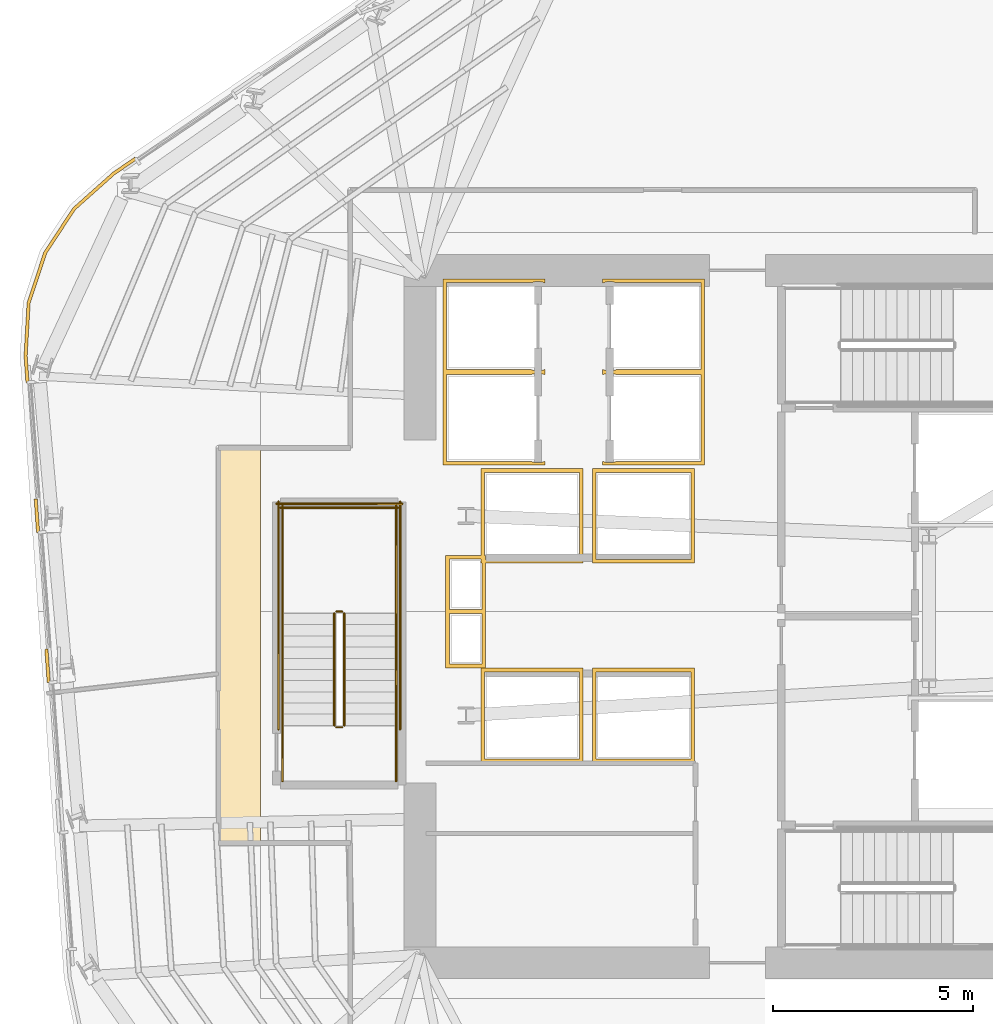
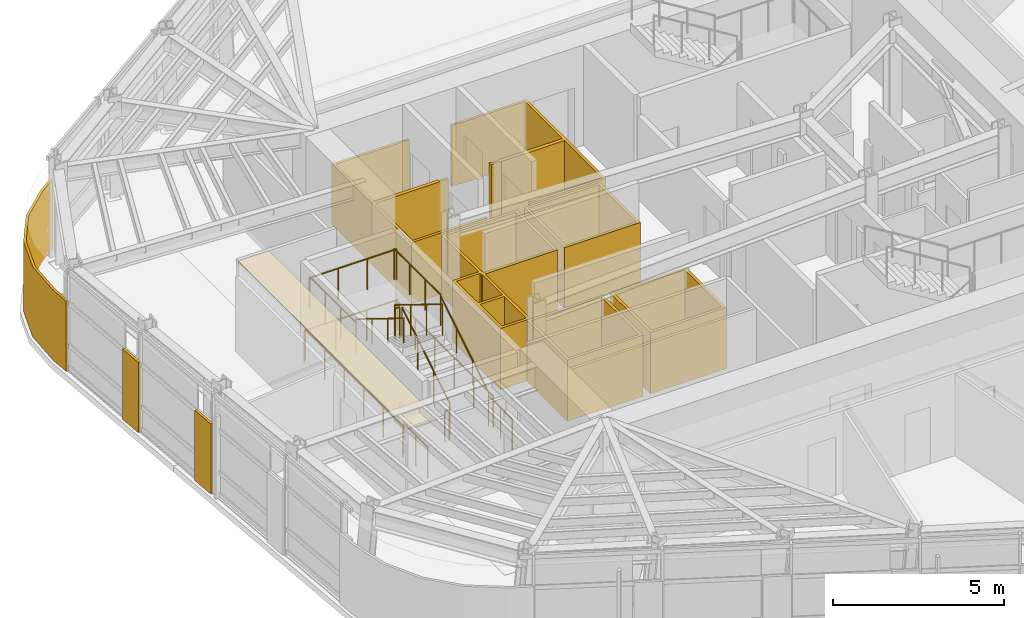
# One storey, part 11 of 15: 14 railings, 10 coverings.
"""IFC4 building model written with IfcOpenShell, lengths in metres."""

from ifc_helpers import new_model, si_unit, direction, frame, origin, origin_2d, place, context, subcontext, project, spatial, polyline, circle, outline, extrude, material, layer, layer_set, type_object, element, save


model = new_model("IFC4")

# Units and contexts
model_context = context("Model", 3, precision=1e-05, world=origin(), true_north=direction((0.0, 1.0)))
body_context = subcontext(model_context, "Body", "Model", "MODEL_VIEW")
ifc_project = project(units=[si_unit("LENGTHUNIT", "METRE"), si_unit("AREAUNIT", "SQUARE_METRE"), si_unit("VOLUMEUNIT", "CUBIC_METRE"), si_unit("PLANEANGLEUNIT", "RADIAN"), si_unit("MASSUNIT", "GRAM", prefix="KILO")], contexts=[model_context])

# Site, building, storey
site_placement = place(None, origin())
site = spatial("IfcSite", under=ifc_project, at=site_placement, CompositionType="ELEMENT")
building_placement = place(site_placement, origin())
building = spatial("IfcBuilding", under=site, at=building_placement, Name="Valkerne Bourse Tower", CompositionType="ELEMENT")
storey_placement = place(building_placement, frame((0.0, 0.0, 170.39990234375)))
storey = spatial("IfcBuildingStorey", under=building, at=storey_placement, Name="L43", CompositionType="ELEMENT", Elevation=170.39990234375)

# Coverings
ifc_material_1 = material(Name="Bronze Anodised Aluminium AA 6063-T6", Category="aluminium")
ifc_layer_1 = layer(ifc_material_1, 0.030029296875)
ifc_layer_set_1 = layer_set([ifc_layer_1], Name="Bronze Anodised Aluminium AA 6063-T6")
covering_type_1 = type_object("IfcCoveringType", Name="COV-CEIL-METAL", PredefinedType="CEILING", material=ifc_layer_set_1)
covering_1_placement = place(storey_placement, frame((0.0, 0.0, 3.22998046875)))
element("IfcCovering", 1, at=covering_1_placement, inside=storey, type_object=covering_type_1, Name="L43 Suspended Ceiling 02", PredefinedType="CEILING", context=body_context, shape_type="SweptSolid", body=[
    extrude(outline(polyline([(32.553955078125, 21.2041015625), (32.553955078125, 31.095947265625), (33.60009765625, 31.095947265625), (33.60009765625, 21.2041015625), (32.553955078125, 21.2041015625)])), origin(), (0.0, 0.0, 1.0), 0.025146484375),
])
ifc_layer_2 = layer(ifc_material_1, 0.06005859375)
ifc_layer_set_2 = layer_set([ifc_layer_2], Name="Bronze Anodised Aluminium AA 6063-T6")
covering_type_2 = type_object("IfcCoveringType", Name="COV-CRN-ALUM", PredefinedType="CLADDING", material=ifc_layer_set_2)
covering_2_placement = place(storey_placement, origin())
element("IfcCovering", 2, at=covering_2_placement, inside=storey, type_object=covering_type_2, Name="L43 Wind-Shaped Corner Aluminium Cladding 11", PredefinedType="CLADDING", context=body_context, shape_type="SweptSolid", body=[
    extrude(outline(polyline([(28.194091796875, 26.0546875), (28.273681640625, 26.060791015625), (28.333251953125, 25.22265625), (28.25341796875, 25.216796875), (28.194091796875, 26.0546875)])), origin(), (0.0, 0.0, 1.0), 2.5),
])
covering_3_placement = place(storey_placement, origin())
element("IfcCovering", 3, at=covering_3_placement, inside=storey, type_object=covering_type_2, Name="L43 Wind-Shaped Corner Aluminium Cladding 12", PredefinedType="CLADDING", context=body_context, shape_type="SweptSolid", body=[
    extrude(outline(polyline([(27.927490234375, 29.81640625), (28.00732421875, 29.822265625), (28.066650390625, 28.984375), (27.98681640625, 28.978515625), (27.927490234375, 29.81640625)])), origin(), (0.0, 0.0, 1.0), 2.5),
])
covering_4_placement = place(storey_placement, origin())
element("IfcCovering", 4, at=covering_4_placement, inside=storey, type_object=covering_type_2, Name="L43 Wind-Shaped Corner Aluminium Cladding 13", PredefinedType="CLADDING", context=body_context, shape_type="SweptSolid", body=[
    extrude(outline(polyline([(27.673095703125, 33.407470703125), (27.750244140625, 34.7431640625), (28.168212890625, 36.007080078125), (28.899169921875, 37.11962890625), (29.89794921875, 38.009521484375), (30.4501953125, 38.38720703125), (30.495361328125, 38.32080078125), (29.947265625, 37.9462890625), (28.960205078125, 37.06689453125), (28.240966796875, 35.971923828125), (27.829345703125, 34.72802734375), (27.75341796875, 33.407958984375), (27.80029296875, 32.745849609375), (27.720458984375, 32.739990234375), (27.673095703125, 33.407470703125)])), origin(), (0.0, 0.0, 1.0), 2.5),
])
ifc_material_2 = material(Name="Gypsum Shaftwall Liner Board", Category="gypsum")
ifc_layer_3 = layer(ifc_material_2, 0.080078125)
ifc_layer_set_3 = layer_set([ifc_layer_3], Name="Gypsum Shaftwall Liner Board")
covering_type_3 = type_object("IfcCoveringType", Name="COV-SHF-CLAD", PredefinedType="CLADDING", material=ifc_layer_set_3)
covering_5_placement = place(storey_placement, origin())
element("IfcCovering", 5, at=covering_5_placement, inside=storey, type_object=covering_type_3, Name="L43 Hoistway & Riser Shaftwall Liner 01", PredefinedType="CLADDING", context=body_context, shape_type="SweptSolid", body=[
    extrude(outline(polyline([(41.679931640625, 25.580078125), (41.679931640625, 23.219970703125), (39.1201171875, 23.219970703125), (39.1201171875, 25.580078125), (41.679931640625, 25.580078125)]), holes=[polyline([(41.590087890625, 25.489990234375), (39.2099609375, 25.489990234375), (39.2099609375, 23.31005859375), (41.590087890625, 23.31005859375), (41.590087890625, 25.489990234375)])]), origin(), (0.0, 0.0, 1.0), 2.18017578125),
])
covering_6_placement = place(storey_placement, origin())
element("IfcCovering", 6, at=covering_6_placement, inside=storey, type_object=covering_type_3, Name="L43 Hoistway & Riser Shaftwall Liner 02", PredefinedType="CLADDING", context=body_context, shape_type="SweptSolid", body=[
    extrude(outline(polyline([(44.47998046875, 23.219970703125), (41.919921875, 23.219970703125), (41.919921875, 25.580078125), (44.47998046875, 25.580078125), (44.47998046875, 23.219970703125)]), holes=[polyline([(42.010009765625, 25.489990234375), (42.010009765625, 23.31005859375), (44.389892578125, 23.31005859375), (44.389892578125, 25.489990234375), (42.010009765625, 25.489990234375)])]), origin(), (0.0, 0.0, 1.0), 2.18017578125),
])
covering_7_placement = place(storey_placement, origin())
element("IfcCovering", 7, at=covering_7_placement, inside=storey, type_object=covering_type_3, Name="L43 Hoistway & Riser Shaftwall Liner 03", PredefinedType="CLADDING", context=body_context, shape_type="SweptSolid", body=[
    extrude(outline(polyline([(38.239990234375, 28.409912109375), (39.1201171875, 28.409912109375), (39.1201171875, 30.580078125), (41.679931640625, 30.580078125), (41.679931640625, 28.219970703125), (39.239990234375, 28.219970703125), (39.239990234375, 27.0400390625), (39.239990234375, 26.9599609375), (39.239990234375, 25.590087890625), (38.239990234375, 25.590087890625), (38.239990234375, 26.9599609375), (38.239990234375, 27.0400390625), (38.239990234375, 28.409912109375)]), holes=[polyline([(38.330078125, 26.949951171875), (38.330078125, 25.679931640625), (39.14990234375, 25.679931640625), (39.14990234375, 26.949951171875), (38.330078125, 26.949951171875)]), polyline([(39.2099609375, 30.489990234375), (39.2099609375, 28.409912109375), (39.239990234375, 28.409912109375), (39.239990234375, 28.31005859375), (41.590087890625, 28.31005859375), (41.590087890625, 30.489990234375), (39.2099609375, 30.489990234375)]), polyline([(38.330078125, 27.050048828125), (39.14990234375, 27.050048828125), (39.14990234375, 28.219970703125), (39.1201171875, 28.219970703125), (39.1201171875, 28.320068359375), (38.330078125, 28.320068359375), (38.330078125, 27.050048828125)])]), origin(), (0.0, 0.0, 1.0), 2.18017578125),
])
covering_8_placement = place(storey_placement, origin())
element("IfcCovering", 8, at=covering_8_placement, inside=storey, type_object=covering_type_3, Name="L43 Hoistway & Riser Shaftwall Liner 04", PredefinedType="CLADDING", context=body_context, shape_type="SweptSolid", body=[
    extrude(outline(polyline([(38.169921875, 35.330078125), (40.72998046875, 35.330078125), (40.72998046875, 35.232177734375), (40.72216796875, 35.235595703125), (40.6806640625, 35.25048828125), (40.6376953125, 35.261474609375), (40.593994140625, 35.267822265625), (40.550048828125, 35.27001953125), (40.505859375, 35.267822265625), (40.462158203125, 35.261474609375), (40.41943359375, 35.25048828125), (40.3896484375, 35.239990234375), (38.260009765625, 35.239990234375), (38.260009765625, 33.06005859375), (40.3896484375, 33.06005859375), (40.41943359375, 33.04931640625), (40.462158203125, 33.03857421875), (40.505859375, 33.0322265625), (40.550048828125, 33.030029296875), (40.593994140625, 33.0322265625), (40.6376953125, 33.03857421875), (40.6806640625, 33.04931640625), (40.72216796875, 33.064208984375), (40.72998046875, 33.06787109375), (40.72998046875, 33.030029296875), (40.72998046875, 32.969970703125), (40.72998046875, 32.93212890625), (40.72216796875, 32.935791015625), (40.6806640625, 32.95068359375), (40.6376953125, 32.96142578125), (40.593994140625, 32.9677734375), (40.550048828125, 32.969970703125), (40.505859375, 32.9677734375), (40.462158203125, 32.96142578125), (40.41943359375, 32.95068359375), (40.3896484375, 32.93994140625), (38.260009765625, 32.93994140625), (38.260009765625, 30.760009765625), (40.3896484375, 30.760009765625), (40.41943359375, 30.74951171875), (40.462158203125, 30.738525390625), (40.505859375, 30.732177734375), (40.550048828125, 30.72998046875), (40.593994140625, 30.732177734375), (40.6376953125, 30.738525390625), (40.6806640625, 30.74951171875), (40.72216796875, 30.764404296875), (40.72998046875, 30.767822265625), (40.72998046875, 30.669921875), (38.169921875, 30.669921875), (38.169921875, 32.969970703125), (38.169921875, 33.030029296875), (38.169921875, 35.330078125)])), origin(), (0.0, 0.0, 1.0), 2.18017578125),
])
covering_9_placement = place(storey_placement, origin())
element("IfcCovering", 9, at=covering_9_placement, inside=storey, type_object=covering_type_3, Name="L43 Hoistway & Riser Shaftwall Liner 07", PredefinedType="CLADDING", context=body_context, shape_type="SweptSolid", body=[
    extrude(outline(polyline([(44.47998046875, 28.219970703125), (41.919921875, 28.219970703125), (41.919921875, 30.580078125), (44.47998046875, 30.580078125), (44.47998046875, 28.219970703125)]), holes=[polyline([(42.010009765625, 30.489990234375), (42.010009765625, 28.31005859375), (44.389892578125, 28.31005859375), (44.389892578125, 30.489990234375), (42.010009765625, 30.489990234375)])]), origin(), (0.0, 0.0, 1.0), 2.18017578125),
])
covering_10_placement = place(storey_placement, origin())
element("IfcCovering", 10, at=covering_10_placement, inside=storey, type_object=covering_type_3, Name="L43 Hoistway & Riser Shaftwall Liner 09", PredefinedType="CLADDING", context=body_context, shape_type="SweptSolid", body=[
    extrude(outline(polyline([(42.169921875, 33.06787109375), (42.177734375, 33.064208984375), (42.219482421875, 33.04931640625), (42.26220703125, 33.03857421875), (42.305908203125, 33.0322265625), (42.35009765625, 33.030029296875), (42.39404296875, 33.0322265625), (42.437744140625, 33.03857421875), (42.480712890625, 33.04931640625), (42.51025390625, 33.06005859375), (44.639892578125, 33.06005859375), (44.639892578125, 35.239990234375), (42.51025390625, 35.239990234375), (42.480712890625, 35.25048828125), (42.437744140625, 35.261474609375), (42.39404296875, 35.267822265625), (42.35009765625, 35.27001953125), (42.305908203125, 35.267822265625), (42.26220703125, 35.261474609375), (42.219482421875, 35.25048828125), (42.177734375, 35.235595703125), (42.169921875, 35.232177734375), (42.169921875, 35.330078125), (44.72998046875, 35.330078125), (44.72998046875, 33.030029296875), (44.72998046875, 32.969970703125), (44.72998046875, 30.669921875), (42.169921875, 30.669921875), (42.169921875, 30.767822265625), (42.177734375, 30.764404296875), (42.219482421875, 30.74951171875), (42.26220703125, 30.738525390625), (42.305908203125, 30.732177734375), (42.35009765625, 30.72998046875), (42.39404296875, 30.732177734375), (42.437744140625, 30.738525390625), (42.480712890625, 30.74951171875), (42.51025390625, 30.760009765625), (44.639892578125, 30.760009765625), (44.639892578125, 32.93994140625), (42.51025390625, 32.93994140625), (42.480712890625, 32.95068359375), (42.437744140625, 32.96142578125), (42.39404296875, 32.9677734375), (42.35009765625, 32.969970703125), (42.305908203125, 32.9677734375), (42.26220703125, 32.96142578125), (42.219482421875, 32.95068359375), (42.177734375, 32.935791015625), (42.169921875, 32.93212890625), (42.169921875, 32.969970703125), (42.169921875, 33.030029296875), (42.169921875, 33.06787109375)])), origin(), (0.0, 0.0, 1.0), 2.18017578125),
])

# Railings
ifc_material_3 = material(Name="Galvanised Painted Steel", Category="steel")
railing_type_1 = type_object("IfcRailingType", Name="RLG-ST-GUARD-1120", PredefinedType="GUARDRAIL", material=ifc_material_3)
railing_1_placement = place(storey_placement, frame((35.699951171875, 24.14990234375, 0.1728515625)))
element("IfcRailing", 11, at=railing_1_placement, inside=storey, type_object=railing_type_1, Name="L43 ST-3 stair guard 1", PredefinedType="GUARDRAIL", context=body_context, shape_type="SweptSolid", body=[
    extrude(circle(Radius=0.02392578125, at=origin_2d()), frame((0.0, 0.0, 1.09619140625), z_axis=(0.0, 0.851089632645, 0.525020415988), x_axis=(-1.0, 0.0, 0.0)), (0.0, 0.0, 1.0), 3.2900390625),
    extrude(circle(Radius=0.02099609375, at=origin_2d()), origin(), (0.0, 0.0, 1.0), 1.072021484375),
    extrude(circle(Radius=0.02099609375, at=origin_2d()), frame((0.0, 0.933349609375, 0.57568359375)), (0.0, 0.0, 1.0), 1.072021484375),
    extrude(circle(Radius=0.02099609375, at=origin_2d()), frame((0.0, 1.86669921875, 1.151611328125)), (0.0, 0.0, 1.0), 1.072021484375),
    extrude(circle(Radius=0.02099609375, at=origin_2d()), frame((0.0, 2.800048828125, 1.727294921875)), (0.0, 0.0, 1.0), 1.072021484375),
])
railing_2_placement = place(storey_placement, frame((35.64990234375, 27.0, 1.900146484375)))
element("IfcRailing", 12, at=railing_2_placement, inside=storey, type_object=railing_type_1, Name="L43 ST-3 stair guard 2", PredefinedType="GUARDRAIL", context=body_context, shape_type="SweptSolid", body=[
    extrude(circle(Radius=0.02392578125, at=origin_2d()), frame((0.0, 0.0, 1.09619140625), z_axis=(-1.0, 0.0, 0.0), x_axis=(0.0, -1.0, 0.0)), (0.0, 0.0, 1.0), 0.14990234375),
    extrude(circle(Radius=0.02099609375, at=origin_2d()), origin(), (0.0, 0.0, 1.0), 1.072021484375),
    extrude(circle(Radius=0.02099609375, at=origin_2d()), frame((-0.14990234375, 0.0, 0.0)), (0.0, 0.0, 1.0), 1.072021484375),
])
for number, where, name in (
    (13, (37.0, 26.949951171875, 1.900146484375), "L43 ST-3 stair guard 3"),
    (14, (34.14990234375, 26.949951171875, 1.900146484375), "L43 ST-3 stair guard 4"),
):
    element("IfcRailing", number, at=place(storey_placement, frame(where)), inside=storey, type_object=railing_type_1, Name=name, PredefinedType="GUARDRAIL", context=body_context, shape_type="SweptSolid", body=[
        extrude(circle(Radius=0.02392578125, at=origin_2d()), frame((0.0, 0.0, 1.09619140625), z_axis=(0.0, 1.0, 0.0), x_axis=(-1.0, 0.0, 0.0)), (0.0, 0.0, 1.0), 2.699951171875),
        extrude(circle(Radius=0.02099609375, at=origin_2d()), origin(), (0.0, 0.0, 1.0), 1.072021484375),
        extrude(circle(Radius=0.02099609375, at=origin_2d()), frame((0.0, 0.89990234375, 0.0)), (0.0, 0.0, 1.0), 1.072021484375),
        extrude(circle(Radius=0.02099609375, at=origin_2d()), frame((0.0, 1.800048828125, 0.0)), (0.0, 0.0, 1.0), 1.072021484375),
        extrude(circle(Radius=0.02099609375, at=origin_2d()), frame((0.0, 2.699951171875, 0.0)), (0.0, 0.0, 1.0), 1.072021484375),
    ])
railing_3_placement = place(storey_placement, frame((37.050048828125, 29.60009765625, 1.900146484375)))
element("IfcRailing", 15, at=railing_3_placement, inside=storey, type_object=railing_type_1, Name="L43 ST-3 stair guard 5", PredefinedType="GUARDRAIL", context=body_context, shape_type="SweptSolid", body=[
    extrude(circle(Radius=0.02392578125, at=origin_2d()), frame((0.0, 0.0, 1.09619140625), z_axis=(-1.0, 0.0, 0.0), x_axis=(0.0, -1.0, 0.0)), (0.0, 0.0, 1.0), 2.949951171875),
    extrude(circle(Radius=0.02099609375, at=origin_2d()), origin(), (0.0, 0.0, 1.0), 1.072021484375),
    extrude(circle(Radius=0.02099609375, at=origin_2d()), frame((-0.9833984375, 0.0, 0.0)), (0.0, 0.0, 1.0), 1.072021484375),
    extrude(circle(Radius=0.02099609375, at=origin_2d()), frame((-1.966552734375, 0.0, 0.0)), (0.0, 0.0, 1.0), 1.072021484375),
    extrude(circle(Radius=0.02099609375, at=origin_2d()), frame((-2.949951171875, 0.0, 0.0)), (0.0, 0.0, 1.0), 1.072021484375),
])
railing_4_placement = place(storey_placement, frame((35.449951171875, 26.949951171875, 2.07275390625)))
element("IfcRailing", 16, at=railing_4_placement, inside=storey, type_object=railing_type_1, Name="L43 ST-3 stair guard 6", PredefinedType="GUARDRAIL", context=body_context, shape_type="SweptSolid", body=[
    extrude(circle(Radius=0.02392578125, at=origin_2d()), frame((0.0, 0.0, 1.09619140625), z_axis=(0.0, -0.851089632645, 0.525020415988), x_axis=(1.0, 0.0, 0.0)), (0.0, 0.0, 1.0), 3.2900390625),
    extrude(circle(Radius=0.02099609375, at=origin_2d()), origin(), (0.0, 0.0, 1.0), 1.072021484375),
    extrude(circle(Radius=0.02099609375, at=origin_2d()), frame((0.0, -0.933349609375, 0.57568359375)), (0.0, 0.0, 1.0), 1.072021484375),
    extrude(circle(Radius=0.02099609375, at=origin_2d()), frame((0.0, -1.86669921875, 1.151611328125)), (0.0, 0.0, 1.0), 1.072021484375),
    extrude(circle(Radius=0.02099609375, at=origin_2d()), frame((0.0, -2.800048828125, 1.727294921875)), (0.0, 0.0, 1.0), 1.072021484375),
])
railing_5_placement = place(storey_placement, frame((35.64990234375, 24.10009765625, 0.0)))
element("IfcRailing", 17, at=railing_5_placement, inside=storey, type_object=railing_type_1, Name="L43 ST-3 stair guard 7", PredefinedType="GUARDRAIL", context=body_context, shape_type="SweptSolid", body=[
    extrude(circle(Radius=0.02392578125, at=origin_2d()), frame((0.0, 0.0, 1.09619140625), z_axis=(-1.0, 0.0, 0.0), x_axis=(0.0, -1.0, 0.0)), (0.0, 0.0, 1.0), 0.14990234375),
    extrude(circle(Radius=0.02099609375, at=origin_2d()), origin(), (0.0, 0.0, 1.0), 1.072021484375),
    extrude(circle(Radius=0.02099609375, at=origin_2d()), frame((-0.14990234375, 0.0, 0.0)), (0.0, 0.0, 1.0), 1.072021484375),
])
for number, where, name in (
    (18, (37.0, 22.75, 0.0), "L43 ST-3 stair guard 8"),
    (19, (34.14990234375, 22.75, 0.0), "L43 ST-3 stair guard 9"),
):
    element("IfcRailing", number, at=place(storey_placement, frame(where)), inside=storey, type_object=railing_type_1, Name=name, PredefinedType="GUARDRAIL", context=body_context, shape_type="SweptSolid", body=[
        extrude(circle(Radius=0.02392578125, at=origin_2d()), frame((0.0, 0.0, 1.09619140625), z_axis=(0.0, 1.0, 0.0), x_axis=(-1.0, 0.0, 0.0)), (0.0, 0.0, 1.0), 1.39990234375),
        extrude(circle(Radius=0.02099609375, at=origin_2d()), origin(), (0.0, 0.0, 1.0), 1.072021484375),
        extrude(circle(Radius=0.02099609375, at=origin_2d()), frame((0.0, 0.699951171875, 0.0)), (0.0, 0.0, 1.0), 1.072021484375),
        extrude(circle(Radius=0.02099609375, at=origin_2d()), frame((0.0, 1.39990234375, 0.0)), (0.0, 0.0, 1.0), 1.072021484375),
    ])
for number, where, name in (
    (20, (37.10009765625, 24.050048828125, 0.0), "L43 ST-3 stair guard 10"),
    (21, (34.050048828125, 24.050048828125, 0.0), "L43 ST-3 stair guard 11"),
):
    element("IfcRailing", number, at=place(storey_placement, frame(where)), inside=storey, type_object=railing_type_1, Name=name, PredefinedType="GUARDRAIL", context=body_context, shape_type="SweptSolid", body=[
        extrude(circle(Radius=0.02392578125, at=origin_2d()), frame((0.0, 0.0, 1.09619140625), z_axis=(0.0, 1.0, 0.0), x_axis=(-1.0, 0.0, 0.0)), (0.0, 0.0, 1.0), 5.699951171875),
        extrude(circle(Radius=0.02099609375, at=origin_2d()), origin(), (0.0, 0.0, 1.0), 1.072021484375),
        extrude(circle(Radius=0.02099609375, at=origin_2d()), frame((0.0, 1.139892578125, 0.0)), (0.0, 0.0, 1.0), 1.072021484375),
        extrude(circle(Radius=0.02099609375, at=origin_2d()), frame((0.0, 2.280029296875, 0.0)), (0.0, 0.0, 1.0), 1.072021484375),
        extrude(circle(Radius=0.02099609375, at=origin_2d()), frame((0.0, 3.419921875, 0.0)), (0.0, 0.0, 1.0), 1.072021484375),
        extrude(circle(Radius=0.02099609375, at=origin_2d()), frame((0.0, 4.56005859375, 0.0)), (0.0, 0.0, 1.0), 1.072021484375),
        extrude(circle(Radius=0.02099609375, at=origin_2d()), frame((0.0, 5.699951171875, 0.0)), (0.0, 0.0, 1.0), 1.072021484375),
    ])
railing_6_placement = place(storey_placement, frame((37.14990234375, 29.699951171875, 0.0)))
element("IfcRailing", 22, at=railing_6_placement, inside=storey, type_object=railing_type_1, Name="L43 ST-3 stair guard 12", PredefinedType="GUARDRAIL", context=body_context, shape_type="SweptSolid", body=[
    extrude(circle(Radius=0.02392578125, at=origin_2d()), frame((0.0, 0.0, 1.09619140625), z_axis=(-1.0, 0.0, 0.0), x_axis=(0.0, -1.0, 0.0)), (0.0, 0.0, 1.0), 3.14990234375),
    extrude(circle(Radius=0.02099609375, at=origin_2d()), origin(), (0.0, 0.0, 1.0), 1.072021484375),
    extrude(circle(Radius=0.02099609375, at=origin_2d()), frame((-1.050048828125, 0.0, 0.0)), (0.0, 0.0, 1.0), 1.072021484375),
    extrude(circle(Radius=0.02099609375, at=origin_2d()), frame((-2.099853515625, 0.0, 0.0)), (0.0, 0.0, 1.0), 1.072021484375),
    extrude(circle(Radius=0.02099609375, at=origin_2d()), frame((-3.14990234375, 0.0, 0.0)), (0.0, 0.0, 1.0), 1.072021484375),
])
ifc_material_4 = material(Name="Stainless Steel AISI 316", Category="steel")
railing_type_2 = type_object("IfcRailingType", Name="RLG-ST-HANDRAIL-900", PredefinedType="HANDRAIL", material=ifc_material_4)
railing_7_placement = place(storey_placement, frame((37.0, 24.14990234375, 0.345458984375)))
element("IfcRailing", 23, at=railing_7_placement, inside=storey, type_object=railing_type_2, Name="L43 ST-3 stair handrail 1", PredefinedType="HANDRAIL", context=body_context, shape_type="SweptSolid", body=[
    extrude(circle(Radius=0.02392578125, at=origin_2d()), frame((0.0, 0.0, 0.8759765625), z_axis=(0.0, 0.851089632645, 0.525020415988), x_axis=(-1.0, 0.0, 0.0)), (0.0, 0.0, 1.0), 3.2900390625),
    extrude(circle(Radius=0.02099609375, at=origin_2d()), origin(), (0.0, 0.0, 1.0), 0.851806640625),
    extrude(circle(Radius=0.02099609375, at=origin_2d()), frame((0.0, 0.933349609375, 0.57568359375)), (0.0, 0.0, 1.0), 0.851806640625),
    extrude(circle(Radius=0.02099609375, at=origin_2d()), frame((0.0, 1.86669921875, 1.151611328125)), (0.0, 0.0, 1.0), 0.851806640625),
    extrude(circle(Radius=0.02099609375, at=origin_2d()), frame((0.0, 2.800048828125, 1.727294921875)), (0.0, 0.0, 1.0), 0.851806640625),
])
railing_8_placement = place(storey_placement, frame((34.14990234375, 26.949951171875, 2.24560546875)))
element("IfcRailing", 24, at=railing_8_placement, inside=storey, type_object=railing_type_2, Name="L43 ST-3 stair handrail 2", PredefinedType="HANDRAIL", context=body_context, shape_type="SweptSolid", body=[
    extrude(circle(Radius=0.02392578125, at=origin_2d()), frame((0.0, 0.0, 0.8759765625), z_axis=(0.0, -0.851089632645, 0.525020415988), x_axis=(1.0, 0.0, 0.0)), (0.0, 0.0, 1.0), 3.2900390625),
    extrude(circle(Radius=0.02099609375, at=origin_2d()), origin(), (0.0, 0.0, 1.0), 0.851806640625),
    extrude(circle(Radius=0.02099609375, at=origin_2d()), frame((0.0, -0.933349609375, 0.57568359375)), (0.0, 0.0, 1.0), 0.851806640625),
    extrude(circle(Radius=0.02099609375, at=origin_2d()), frame((0.0, -1.86669921875, 1.151611328125)), (0.0, 0.0, 1.0), 0.851806640625),
    extrude(circle(Radius=0.02099609375, at=origin_2d()), frame((0.0, -2.800048828125, 1.727294921875)), (0.0, 0.0, 1.0), 0.851806640625),
])

save(model, "model.ifc")
